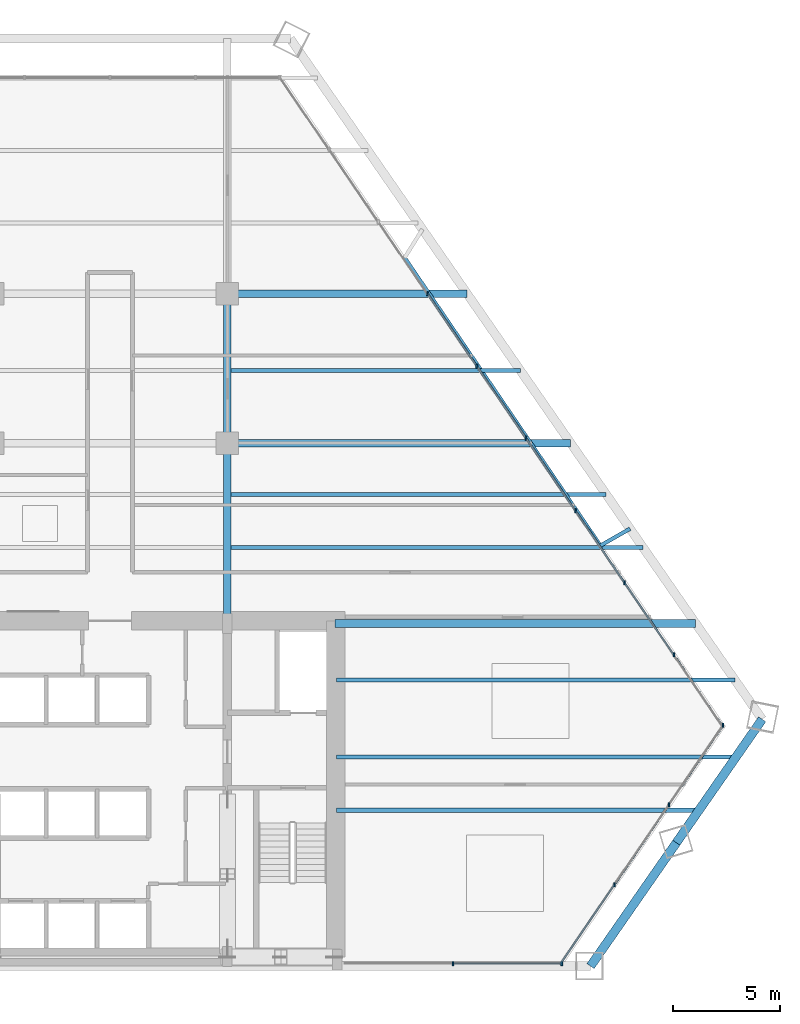
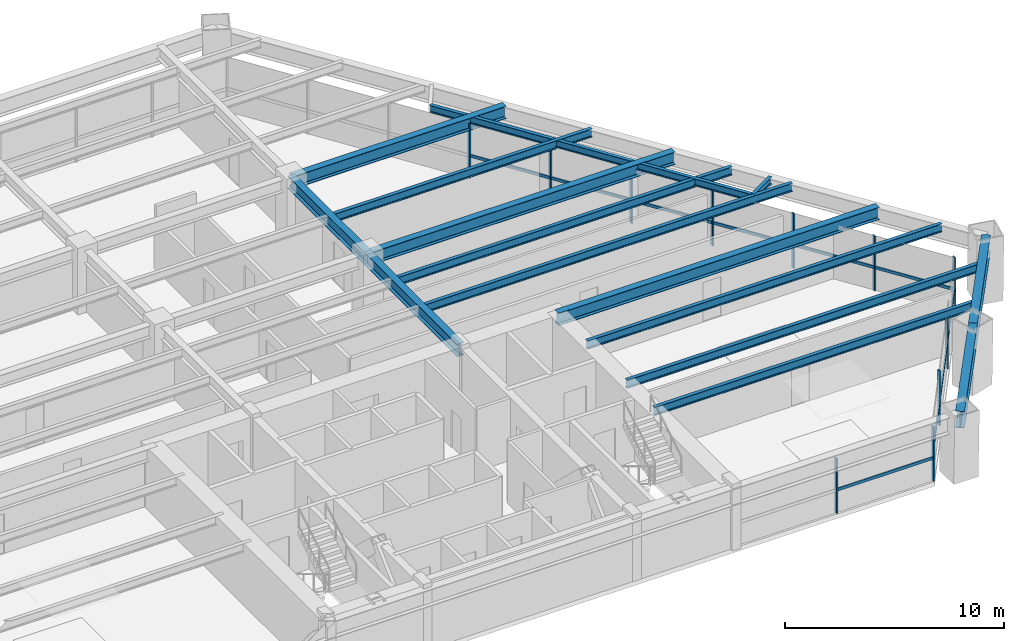
# One storey, part 6 of 13: 21 members, 15 beams, 3 elements without a shape of their own.
"""IFC4 building model written with IfcOpenShell, lengths in metres."""

from ifc_helpers import new_model, si_unit, direction, frame, origin, origin_2d, place, context, subcontext, project, spatial, rectangle, i_section, extrude, source, transform, mapped, material, material_profile, profile_set, type_object, type_shapes, element, aggregate, save


model = new_model("IFC4")

# Units and contexts
model_context = context("Model", 3, precision=1e-05, world=origin(), true_north=direction((0.0, 1.0)))
body_context = subcontext(model_context, "Body", "Model", "MODEL_VIEW")
ifc_project = project(units=[si_unit("LENGTHUNIT", "METRE"), si_unit("AREAUNIT", "SQUARE_METRE"), si_unit("VOLUMEUNIT", "CUBIC_METRE"), si_unit("PLANEANGLEUNIT", "RADIAN"), si_unit("MASSUNIT", "GRAM", prefix="KILO")], contexts=[model_context])

# Site, building, storey
site_placement = place(None, origin())
site = spatial("IfcSite", under=ifc_project, at=site_placement, CompositionType="ELEMENT")
building_placement = place(site_placement, origin())
building = spatial("IfcBuilding", under=site, at=building_placement, Name="Varnakhor Terracotta Tower", CompositionType="ELEMENT")
storey_placement = place(building_placement, frame((0.0, 0.0, 27.5)))
storey = spatial("IfcBuildingStorey", under=building, at=storey_placement, Name="L05", CompositionType="ELEMENT", Elevation=27.5)

# Beams
ifc_material_1 = material(Name="Steel S355", Category="steel")
ifc_material_profile_1 = material_profile(ifc_material_1, i_section(OverallWidth=0.41796875, OverallDepth=0.927001953125, WebThickness=0.01904296875, FlangeThickness=0.031982421875, FilletRadius=0.01806640625, at=origin_2d()), Name="W36X231")
ifc_profile_set_1 = profile_set([ifc_material_profile_1], Name="Steel S355")
beam_type_1 = type_object("IfcBeamType", Name="BM-W36X231", PredefinedType="BEAM", material=ifc_profile_set_1)
shared_shape_1 = source(origin(), body_context, "Body", "SweptSolid", [
    extrude(i_section(OverallWidth=0.41796875, OverallDepth=0.927001953125, WebThickness=0.01904296875, FlangeThickness=0.031982421875, FilletRadius=0.01806640625, at=origin_2d()), origin(), (0.0, 0.0, 1.0), 7.04052734375),
])
beam_1_placement = place(storey_placement, frame((22.509033203125, 0.0, 2.986572265625), z_axis=(0.570878545887, 0.821034521714, 0.0), x_axis=(-0.821034521714, 0.570878545887, 0.0)))
element("IfcBeam", 1, at=beam_1_placement, inside=storey, type_object=beam_type_1, Name="L05 Perimeter Spandrel 2", PredefinedType="BEAM", context=body_context, shape_type="MappedRepresentation", body=[
    mapped(shared_shape_1, transform((0.0, 0.0, 0.0), scale=1.0)),
])
shared_shape_2 = source(origin(), body_context, "Body", "SweptSolid", [
    extrude(i_section(OverallWidth=0.41796875, OverallDepth=0.927001953125, WebThickness=0.01904296875, FlangeThickness=0.031982421875, FilletRadius=0.01806640625, at=origin_2d()), origin(), (0.0, 0.0, 1.0), 7.040771484375),
])
beam_2_placement = place(storey_placement, frame((26.5283203125, 5.780517578125, 2.986572265625), z_axis=(0.570862293001, 0.821045822369, 0.0), x_axis=(-0.821045822369, 0.570862293001, 0.0)))
element("IfcBeam", 2, at=beam_2_placement, inside=storey, type_object=beam_type_1, Name="L05 Perimeter Spandrel 3", PredefinedType="BEAM", context=body_context, shape_type="MappedRepresentation", body=[
    mapped(shared_shape_2, transform((0.0, 0.0, 0.0), scale=1.0)),
])
ifc_material_profile_2 = material_profile(ifc_material_1, i_section(OverallWidth=0.179931640625, OverallDepth=0.39990234375, WebThickness=0.008544921875, FlangeThickness=0.013427734375, FilletRadius=0.01806640625, at=origin_2d()), Name="IPE400")
ifc_profile_set_2 = profile_set([ifc_material_profile_2], Name="Steel S355")
beam_type_2 = type_object("IfcBeamType", Name="JST-IPE400", PredefinedType="JOIST", material=ifc_profile_set_2)
shared_shape_3 = source(origin(), body_context, "Body", "SweptSolid", [
    extrude(i_section(OverallWidth=0.179931640625, OverallDepth=0.39990234375, WebThickness=0.008544921875, FlangeThickness=0.013427734375, FilletRadius=0.01806640625, at=origin_2d()), origin(), (0.0, 0.0, 1.0), 16.307373046875),
])
type_shapes(beam_type_2, [shared_shape_3])
beam_3_placement = place(storey_placement, frame((22.969970703125, 19.695068359375, 3.25), z_axis=(-0.562319030314, 0.826920375941, 0.0), x_axis=(-0.826920375941, -0.562319030314, 0.0)))
element("IfcBeam", 3, at=beam_3_placement, inside=storey, type_object=beam_type_2, Name="L05 Loggia Edge Beam 1", PredefinedType="JOIST", context=body_context, shape_type="MappedRepresentation", body=[
    mapped(shared_shape_3, transform((0.0, 0.0, 0.0), scale=1.0)),
])
ifc_material_profile_3 = material_profile(ifc_material_1, i_section(OverallWidth=0.35498046875, OverallDepth=0.695068359375, WebThickness=0.014892578125, FlangeThickness=0.02490234375, FilletRadius=0.01806640625, at=origin_2d()), Name="W27X146")
ifc_profile_set_3 = profile_set([ifc_material_profile_3], Name="Steel S355")
beam_type_3 = type_object("IfcBeamType", Name="BM-W27X146", PredefinedType="BEAM", material=ifc_profile_set_3)
shared_shape_4 = source(origin(), body_context, "Body", "SweptSolid", [
    extrude(i_section(OverallWidth=0.35498046875, OverallDepth=0.695068359375, WebThickness=0.014892578125, FlangeThickness=0.02490234375, FilletRadius=0.01806640625, at=origin_2d()), origin(), (0.0, 0.0, 1.0), 8.449951171875),
])
type_shapes(beam_type_3, [shared_shape_4])
beam_4_placement = place(storey_placement, frame((5.5, 16.050048828125, 3.1025390625), z_axis=(0.0, 1.0, 0.0), x_axis=(-1.0, 0.0, 0.0)))
element("IfcBeam", 4, at=beam_4_placement, inside=storey, type_object=beam_type_3, Name="L05 Primary Girder NS1-E", PredefinedType="BEAM", context=body_context, shape_type="MappedRepresentation", body=[
    mapped(shared_shape_4, transform((0.0, 0.0, 0.0), scale=1.0)),
])
shared_shape_5 = source(origin(), body_context, "Body", "SweptSolid", [
    extrude(i_section(OverallWidth=0.35498046875, OverallDepth=0.695068359375, WebThickness=0.014892578125, FlangeThickness=0.02490234375, FilletRadius=0.01806640625, at=origin_2d()), origin(), (0.0, 0.0, 1.0), 7.0),
])
beam_5_placement = place(storey_placement, frame((5.5, 24.5, 3.1025390625), z_axis=(0.0, 1.0, 0.0), x_axis=(-1.0, 0.0, 0.0)))
element("IfcBeam", 5, at=beam_5_placement, inside=storey, type_object=beam_type_3, Name="L05 Primary Girder NS2-E", PredefinedType="BEAM", context=body_context, shape_type="MappedRepresentation", body=[
    mapped(shared_shape_5, transform((0.0, 0.0, 0.0), scale=1.0)),
])
shared_shape_6 = source(origin(), body_context, "Body", "SweptSolid", [
    extrude(i_section(OverallWidth=0.35498046875, OverallDepth=0.695068359375, WebThickness=0.014892578125, FlangeThickness=0.02490234375, FilletRadius=0.01806640625, at=origin_2d()), origin(), (0.0, 0.0, 1.0), 16.885498046875),
])
beam_6_placement = place(storey_placement, frame((10.550048828125, 16.050048828125, 3.1025390625), z_axis=(1.0, 0.0, 0.0), x_axis=(0.0, 1.0, 0.0)))
element("IfcBeam", 6, at=beam_6_placement, inside=storey, type_object=beam_type_3, Name="L05 Wing Girder E", PredefinedType="BEAM", context=body_context, shape_type="MappedRepresentation", body=[
    mapped(shared_shape_6, transform((0.0, 0.0, 0.0), scale=1.0)),
])
shared_shape_7 = source(origin(), body_context, "Body", "SweptSolid", [
    extrude(i_section(OverallWidth=0.35498046875, OverallDepth=0.695068359375, WebThickness=0.014892578125, FlangeThickness=0.02490234375, FilletRadius=0.01806640625, at=origin_2d()), origin(), (0.0, 0.0, 1.0), 16.076904296875),
])
beam_7_placement = place(storey_placement, frame((5.5, 24.5, 3.1025390625), z_axis=(1.0, 0.0, 0.0), x_axis=(0.0, 1.0, 0.0)))
element("IfcBeam", 7, at=beam_7_placement, inside=storey, type_object=beam_type_3, Name="L05 Primary Girder EW2-3", PredefinedType="BEAM", context=body_context, shape_type="MappedRepresentation", body=[
    mapped(shared_shape_7, transform((0.0, 0.0, 0.0), scale=1.0)),
])
shared_shape_8 = source(origin(), body_context, "Body", "SweptSolid", [
    extrude(i_section(OverallWidth=0.35498046875, OverallDepth=0.695068359375, WebThickness=0.014892578125, FlangeThickness=0.02490234375, FilletRadius=0.01806640625, at=origin_2d()), origin(), (0.0, 0.0, 1.0), 11.223876953125),
])
beam_8_placement = place(storey_placement, frame((5.5, 31.5, 3.1025390625), z_axis=(1.0, 0.0, 0.0), x_axis=(0.0, 1.0, 0.0)))
element("IfcBeam", 8, at=beam_8_placement, inside=storey, type_object=beam_type_3, Name="L05 Primary Girder EW3-3", PredefinedType="BEAM", context=body_context, shape_type="MappedRepresentation", body=[
    mapped(shared_shape_8, transform((0.0, 0.0, 0.0), scale=1.0)),
])
ifc_material_profile_4 = material_profile(ifc_material_1, i_section(OverallWidth=0.19189453125, OverallDepth=0.462890625, WebThickness=0.010498046875, FlangeThickness=0.017578125, FilletRadius=0.01806640625, at=origin_2d()), Name="W18X60")
ifc_profile_set_4 = profile_set([ifc_material_profile_4], Name="Steel S355")
beam_type_4 = type_object("IfcBeamType", Name="JST-W18X60", PredefinedType="JOIST", material=ifc_profile_set_4)
shared_shape_9 = source(origin(), body_context, "Body", "SweptSolid", [
    extrude(i_section(OverallWidth=0.19189453125, OverallDepth=0.462890625, WebThickness=0.010498046875, FlangeThickness=0.017578125, FilletRadius=0.01806640625, at=origin_2d()), origin(), (0.0, 0.0, 1.0), 16.984619140625),
])
beam_9_placement = place(storey_placement, frame((10.60009765625, 7.300048828125, 3.218505859375), z_axis=(1.0, 0.0, 0.0), x_axis=(0.0, 1.0, 0.0)))
element("IfcBeam", 9, at=beam_9_placement, inside=storey, type_object=beam_type_4, Name="L05 Floor Joist E1", PredefinedType="JOIST", context=body_context, shape_type="MappedRepresentation", body=[
    mapped(shared_shape_9, transform((0.0, 0.0, 0.0), scale=1.0)),
])
shared_shape_10 = source(origin(), body_context, "Body", "SweptSolid", [
    extrude(i_section(OverallWidth=0.19189453125, OverallDepth=0.462890625, WebThickness=0.010498046875, FlangeThickness=0.017578125, FilletRadius=0.01806640625, at=origin_2d()), origin(), (0.0, 0.0, 1.0), 18.722900390625),
])
beam_10_placement = place(storey_placement, frame((10.60009765625, 9.800048828125, 3.218505859375), z_axis=(1.0, 0.0, 0.0), x_axis=(0.0, 1.0, 0.0)))
element("IfcBeam", 10, at=beam_10_placement, inside=storey, type_object=beam_type_4, Name="L05 Floor Joist E2", PredefinedType="JOIST", context=body_context, shape_type="MappedRepresentation", body=[
    mapped(shared_shape_10, transform((0.0, 0.0, 0.0), scale=1.0)),
])
shared_shape_11 = source(origin(), body_context, "Body", "SweptSolid", [
    extrude(i_section(OverallWidth=0.19189453125, OverallDepth=0.462890625, WebThickness=0.010498046875, FlangeThickness=0.017578125, FilletRadius=0.01806640625, at=origin_2d()), origin(), (0.0, 0.0, 1.0), 18.672607421875),
])
beam_11_placement = place(storey_placement, frame((10.60009765625, 13.39990234375, 3.218505859375), z_axis=(1.0, 0.0, 0.0), x_axis=(0.0, 1.0, 0.0)))
element("IfcBeam", 11, at=beam_11_placement, inside=storey, type_object=beam_type_4, Name="L05 Floor Joist E3", PredefinedType="JOIST", context=body_context, shape_type="MappedRepresentation", body=[
    mapped(shared_shape_11, transform((0.0, 0.0, 0.0), scale=1.0)),
])
shared_shape_12 = source(origin(), body_context, "Body", "SweptSolid", [
    extrude(i_section(OverallWidth=0.19189453125, OverallDepth=0.462890625, WebThickness=0.010498046875, FlangeThickness=0.017578125, FilletRadius=0.01806640625, at=origin_2d()), origin(), (0.0, 0.0, 1.0), 19.30078125),
])
beam_12_placement = place(storey_placement, frame((5.673583984375, 19.60009765625, 3.218505859375), z_axis=(1.0, 0.0, 0.0), x_axis=(0.0, 1.0, 0.0)))
element("IfcBeam", 12, at=beam_12_placement, inside=storey, type_object=beam_type_4, Name="L05 Composite Floor Joist 4-3", PredefinedType="JOIST", context=body_context, shape_type="MappedRepresentation", body=[
    mapped(shared_shape_12, transform((0.0, 0.0, 0.0), scale=1.0)),
])
shared_shape_13 = source(origin(), body_context, "Body", "SweptSolid", [
    extrude(i_section(OverallWidth=0.19189453125, OverallDepth=0.462890625, WebThickness=0.010498046875, FlangeThickness=0.017578125, FilletRadius=0.01806640625, at=origin_2d()), origin(), (0.0, 0.0, 1.0), 17.5673828125),
])
beam_13_placement = place(storey_placement, frame((5.673583984375, 22.10009765625, 3.218505859375), z_axis=(1.0, 0.0, 0.0), x_axis=(0.0, 1.0, 0.0)))
element("IfcBeam", 13, at=beam_13_placement, inside=storey, type_object=beam_type_4, Name="L05 Composite Floor Joist 5-3", PredefinedType="JOIST", context=body_context, shape_type="MappedRepresentation", body=[
    mapped(shared_shape_13, transform((0.0, 0.0, 0.0), scale=1.0)),
])
shared_shape_14 = source(origin(), body_context, "Body", "SweptSolid", [
    extrude(i_section(OverallWidth=0.19189453125, OverallDepth=0.462890625, WebThickness=0.010498046875, FlangeThickness=0.017578125, FilletRadius=0.01806640625, at=origin_2d()), origin(), (0.0, 0.0, 1.0), 13.546142578125),
])
beam_14_placement = place(storey_placement, frame((5.673583984375, 27.89990234375, 3.218505859375), z_axis=(1.0, 0.0, 0.0), x_axis=(0.0, 1.0, 0.0)))
element("IfcBeam", 14, at=beam_14_placement, inside=storey, type_object=beam_type_4, Name="L05 Composite Floor Joist 6-3", PredefinedType="JOIST", context=body_context, shape_type="MappedRepresentation", body=[
    mapped(shared_shape_14, transform((0.0, 0.0, 0.0), scale=1.0)),
])

# Curtain wall, members
ifc_material_2 = material(Name="Anodised Aluminium Curtain Wall System", Category="aluminium")
curtain_wall_type = type_object("IfcCurtainWallType", Name="CW-SYS-LOW-OFFICE", PredefinedType="NOTDEFINED", material=ifc_material_2)
curtain_wall_1_placement = place(storey_placement, origin())
curtain_wall_1 = element("IfcCurtainWall", 15, at=curtain_wall_1_placement, inside=storey, type_object=curtain_wall_type, Name="L05 Facet Curtain Wall 3", PredefinedType="NOTDEFINED")
ifc_material_3 = material(Name="Anodised Aluminium 6063-T6", Category="aluminium")
ifc_material_profile_5 = material_profile(ifc_material_3, rectangle(XDim=0.074951171875, YDim=0.18505859375, at=origin_2d()), Name="ALU MULLION 75x185")
ifc_profile_set_5 = profile_set([ifc_material_profile_5], Name="Anodised Aluminium 6063-T6")
member_type_1 = type_object("IfcMemberType", Name="CWM-02", PredefinedType="MULLION", material=ifc_profile_set_5)
shared_shape_15 = source(origin(), body_context, "Body", "SweptSolid", [
    extrude(rectangle(XDim=0.074951171875, YDim=0.18505859375, at=origin_2d()), origin(), (0.0, 0.0, 1.0), 3.030029296875),
])
type_shapes(member_type_1, [shared_shape_15])
member_1_placement = place(storey_placement, frame((14.87158203125, 31.489013671875, 0.0), z_axis=(0.0, 0.0, 1.0), x_axis=(1.0, 0.0, 0.0)))
member_1 = element("IfcMember", 16, at=member_1_placement, type_object=member_type_1, Name="L05 Facet Curtain Wall 3 Mullion 4", PredefinedType="MULLION", context=body_context, shape_type="MappedRepresentation", body=[
    mapped(shared_shape_15, transform((0.0, 0.0, 0.0), scale=1.0)),
])
member_2_placement = place(storey_placement, frame((17.179443359375, 28.106201171875, 0.0), z_axis=(0.0, 0.0, 1.0), x_axis=(1.0, 0.0, 0.0)))
member_2 = element("IfcMember", 17, at=member_2_placement, type_object=member_type_1, Name="L05 Facet Curtain Wall 3 Mullion 5", PredefinedType="MULLION", context=body_context, shape_type="MappedRepresentation", body=[
    mapped(shared_shape_15, transform((0.0, 0.0, 0.0), scale=1.0)),
])
member_3_placement = place(storey_placement, frame((19.4873046875, 24.723388671875, 0.0), z_axis=(0.0, 0.0, 1.0), x_axis=(1.0, 0.0, 0.0)))
member_3 = element("IfcMember", 18, at=member_3_placement, type_object=member_type_1, Name="L05 Facet Curtain Wall 3 Mullion 6", PredefinedType="MULLION", context=body_context, shape_type="MappedRepresentation", body=[
    mapped(shared_shape_15, transform((0.0, 0.0, 0.0), scale=1.0)),
])
member_4_placement = place(storey_placement, frame((21.795166015625, 21.340576171875, 0.0), z_axis=(0.0, 0.0, 1.0), x_axis=(1.0, 0.0, 0.0)))
member_4 = element("IfcMember", 19, at=member_4_placement, type_object=member_type_1, Name="L05 Facet Curtain Wall 3 Mullion 7", PredefinedType="MULLION", context=body_context, shape_type="MappedRepresentation", body=[
    mapped(shared_shape_15, transform((0.0, 0.0, 0.0), scale=1.0)),
])
member_5_placement = place(storey_placement, frame((24.10302734375, 17.957763671875, 0.0), z_axis=(0.0, 0.0, 1.0), x_axis=(1.0, 0.0, 0.0)))
member_5 = element("IfcMember", 20, at=member_5_placement, type_object=member_type_1, Name="L05 Facet Curtain Wall 3 Mullion 8", PredefinedType="MULLION", context=body_context, shape_type="MappedRepresentation", body=[
    mapped(shared_shape_15, transform((0.0, 0.0, 0.0), scale=1.0)),
])
member_6_placement = place(storey_placement, frame((26.4111328125, 14.574951171875, 0.0), z_axis=(0.0, 0.0, 1.0), x_axis=(1.0, 0.0, 0.0)))
member_6 = element("IfcMember", 21, at=member_6_placement, type_object=member_type_1, Name="L05 Facet Curtain Wall 3 Mullion 9", PredefinedType="MULLION", context=body_context, shape_type="MappedRepresentation", body=[
    mapped(shared_shape_15, transform((0.0, 0.0, 0.0), scale=1.0)),
])

curtain_wall_2_placement = place(storey_placement, origin())
curtain_wall_2 = element("IfcCurtainWall", 22, at=curtain_wall_2_placement, inside=storey, type_object=curtain_wall_type, Name="L05 Facet Curtain Wall 4", PredefinedType="NOTDEFINED")
member_7_placement = place(storey_placement, frame((28.718994140625, 11.27783203125, 0.0), z_axis=(0.0, 0.0, 1.0), x_axis=(1.0, 0.0, 0.0)))
member_7 = element("IfcMember", 23, at=member_7_placement, type_object=member_type_1, Name="L05 Facet Curtain Wall 4 Mullion 1", PredefinedType="MULLION", context=body_context, shape_type="MappedRepresentation", body=[
    mapped(shared_shape_15, transform((0.0, 0.0, 0.0), scale=1.0)),
])
member_8_placement = place(storey_placement, frame((26.17529296875, 7.54931640625, 0.0), z_axis=(0.0, 0.0, 1.0), x_axis=(1.0, 0.0, 0.0)))
member_8 = element("IfcMember", 24, at=member_8_placement, type_object=member_type_1, Name="L05 Facet Curtain Wall 4 Mullion 2", PredefinedType="MULLION", context=body_context, shape_type="MappedRepresentation", body=[
    mapped(shared_shape_15, transform((0.0, 0.0, 0.0), scale=1.0)),
])
member_9_placement = place(storey_placement, frame((23.631591796875, 3.82080078125, 0.0), z_axis=(0.0, 0.0, 1.0), x_axis=(1.0, 0.0, 0.0)))
member_9 = element("IfcMember", 25, at=member_9_placement, type_object=member_type_1, Name="L05 Facet Curtain Wall 4 Mullion 3", PredefinedType="MULLION", context=body_context, shape_type="MappedRepresentation", body=[
    mapped(shared_shape_15, transform((0.0, 0.0, 0.0), scale=1.0)),
])

curtain_wall_3_placement = place(storey_placement, origin())
curtain_wall_3 = element("IfcCurtainWall", 26, at=curtain_wall_3_placement, inside=storey, type_object=curtain_wall_type, Name="L05 South Wing Curtain Wall SSE", PredefinedType="NOTDEFINED")
member_10_placement = place(storey_placement, frame((21.159912109375, 0.1201171875, 0.0), z_axis=(0.0, 0.0, 1.0), x_axis=(1.0, 0.0, 0.0)))
member_10 = element("IfcMember", 27, at=member_10_placement, type_object=member_type_1, Name="L05 South Wing Curtain Wall SSE Mullion 1", PredefinedType="MULLION", context=body_context, shape_type="MappedRepresentation", body=[
    mapped(shared_shape_15, transform((0.0, 0.0, 0.0), scale=1.0)),
])
member_11_placement = place(storey_placement, frame((16.06494140625, 0.1201171875, 0.0), z_axis=(0.0, 0.0, 1.0), x_axis=(1.0, 0.0, 0.0)))
member_11 = element("IfcMember", 28, at=member_11_placement, type_object=member_type_1, Name="L05 South Wing Curtain Wall SSE Mullion 2", PredefinedType="MULLION", context=body_context, shape_type="MappedRepresentation", body=[
    mapped(shared_shape_15, transform((0.0, 0.0, 0.0), scale=1.0)),
])

# Member
ifc_material_profile_6 = material_profile(ifc_material_3, rectangle(XDim=0.074951171875, YDim=0.1650390625, at=origin_2d()), Name="ALU TRANSOM 75x165")
ifc_profile_set_6 = profile_set([ifc_material_profile_6], Name="Anodised Aluminium 6063-T6")
member_type_2 = type_object("IfcMemberType", Name="CWT-02", PredefinedType="USERDEFINED", material=ifc_profile_set_6)
shared_shape_16 = source(origin(), body_context, "Body", "SweptSolid", [
    extrude(rectangle(XDim=0.074951171875, YDim=0.1650390625, at=origin_2d()), origin(), (0.0, 0.0, 1.0), 4.094970703125),
])
type_shapes(member_type_2, [shared_shape_16])
member_12_placement = place(storey_placement, frame((14.87158203125, 31.489013671875, 1.272705078125), z_axis=(0.563569893016, -0.826068384389, 0.0), x_axis=(0.826068384389, 0.563569893016, 0.0)))
member_12 = element("IfcMember", 29, at=member_12_placement, type_object=member_type_2, Name="L05 Facet Curtain Wall 3 Transom 4", ObjectType="TRANSOM", PredefinedType="USERDEFINED", context=body_context, shape_type="MappedRepresentation", body=[
    mapped(shared_shape_16, transform((0.0, 0.0, 0.0), scale=1.0)),
])

member_13_placement = place(storey_placement, frame((17.179443359375, 28.106201171875, 1.272705078125), z_axis=(0.563569893016, -0.826068384389, 0.0), x_axis=(0.826068384389, 0.563569893016, 0.0)))
member_13 = element("IfcMember", 30, at=member_13_placement, type_object=member_type_2, Name="L05 Facet Curtain Wall 3 Transom 5", ObjectType="TRANSOM", PredefinedType="USERDEFINED", context=body_context, shape_type="MappedRepresentation", body=[
    mapped(shared_shape_16, transform((0.0, 0.0, 0.0), scale=1.0)),
])

member_14_placement = place(storey_placement, frame((19.4873046875, 24.723388671875, 1.272705078125), z_axis=(0.563569893016, -0.826068384389, 0.0), x_axis=(0.826068384389, 0.563569893016, 0.0)))
member_14 = element("IfcMember", 31, at=member_14_placement, type_object=member_type_2, Name="L05 Facet Curtain Wall 3 Transom 6", ObjectType="TRANSOM", PredefinedType="USERDEFINED", context=body_context, shape_type="MappedRepresentation", body=[
    mapped(shared_shape_16, transform((0.0, 0.0, 0.0), scale=1.0)),
])

member_15_placement = place(storey_placement, frame((21.795166015625, 21.340576171875, 1.272705078125), z_axis=(0.563569893016, -0.826068384389, 0.0), x_axis=(0.826068384389, 0.563569893016, 0.0)))
member_15 = element("IfcMember", 32, at=member_15_placement, type_object=member_type_2, Name="L05 Facet Curtain Wall 3 Transom 7", ObjectType="TRANSOM", PredefinedType="USERDEFINED", context=body_context, shape_type="MappedRepresentation", body=[
    mapped(shared_shape_16, transform((0.0, 0.0, 0.0), scale=1.0)),
])

member_16_placement = place(storey_placement, frame((26.4111328125, 14.574951171875, 1.272705078125), z_axis=(0.563569893016, -0.826068384389, 0.0), x_axis=(0.826068384389, 0.563569893016, 0.0)))
member_16 = element("IfcMember", 33, at=member_16_placement, type_object=member_type_2, Name="L05 Facet Curtain Wall 3 Transom 9", ObjectType="TRANSOM", PredefinedType="USERDEFINED", context=body_context, shape_type="MappedRepresentation", body=[
    mapped(shared_shape_16, transform((0.0, 0.0, 0.0), scale=1.0)),
])

shared_shape_17 = source(origin(), body_context, "Body", "SweptSolid", [
    extrude(rectangle(XDim=0.074951171875, YDim=0.1650390625, at=origin_2d()), origin(), (0.0, 0.0, 1.0), 4.09521484375),
])
member_17_placement = place(storey_placement, frame((24.10302734375, 17.957763671875, 1.272705078125), z_axis=(0.563610573699, -0.826040629276, 0.0), x_axis=(0.826040629276, 0.563610573699, 0.0)))
member_17 = element("IfcMember", 34, at=member_17_placement, type_object=member_type_2, Name="L05 Facet Curtain Wall 3 Transom 8", ObjectType="TRANSOM", PredefinedType="USERDEFINED", context=body_context, shape_type="MappedRepresentation", body=[
    mapped(shared_shape_17, transform((0.0, 0.0, 0.0), scale=1.0)),
])

aggregate(curtain_wall_1, [member_1, member_12, member_2, member_13, member_3, member_14, member_4, member_15, member_5, member_17, member_6, member_16])

shared_shape_18 = source(origin(), body_context, "Body", "SweptSolid", [
    extrude(rectangle(XDim=0.074951171875, YDim=0.1650390625, at=origin_2d()), origin(), (0.0, 0.0, 1.0), 4.513671875),
])
member_18_placement = place(storey_placement, frame((28.718994140625, 11.27783203125, 1.272705078125), z_axis=(-0.563568422553, -0.826069387583, 0.0), x_axis=(0.826069387583, -0.563568422553, 0.0)))
member_18 = element("IfcMember", 35, at=member_18_placement, type_object=member_type_2, Name="L05 Facet Curtain Wall 4 Transom 1", ObjectType="TRANSOM", PredefinedType="USERDEFINED", context=body_context, shape_type="MappedRepresentation", body=[
    mapped(shared_shape_18, transform((0.0, 0.0, 0.0), scale=1.0)),
])

member_19_placement = place(storey_placement, frame((26.17529296875, 7.54931640625, 1.272705078125), z_axis=(-0.563568422553, -0.826069387583, 0.0), x_axis=(0.826069387583, -0.563568422553, 0.0)))
member_19 = element("IfcMember", 36, at=member_19_placement, type_object=member_type_2, Name="L05 Facet Curtain Wall 4 Transom 2", ObjectType="TRANSOM", PredefinedType="USERDEFINED", context=body_context, shape_type="MappedRepresentation", body=[
    mapped(shared_shape_18, transform((0.0, 0.0, 0.0), scale=1.0)),
])

member_20_placement = place(storey_placement, frame((23.631591796875, 3.82080078125, 1.272705078125), z_axis=(-0.563568422553, -0.826069387583, 0.0), x_axis=(0.826069387583, -0.563568422553, 0.0)))
member_20 = element("IfcMember", 37, at=member_20_placement, type_object=member_type_2, Name="L05 Facet Curtain Wall 4 Transom 3", ObjectType="TRANSOM", PredefinedType="USERDEFINED", context=body_context, shape_type="MappedRepresentation", body=[
    mapped(shared_shape_18, transform((0.0, 0.0, 0.0), scale=1.0)),
])

aggregate(curtain_wall_2, [member_7, member_18, member_8, member_19, member_9, member_20])

shared_shape_19 = source(origin(), body_context, "Body", "SweptSolid", [
    extrude(rectangle(XDim=0.074951171875, YDim=0.1650390625, at=origin_2d()), origin(), (0.0, 0.0, 1.0), 5.094970703125),
])
member_21_placement = place(storey_placement, frame((21.159912109375, 0.1201171875, 1.272705078125), z_axis=(-1.0, 0.0, 0.0), x_axis=(0.0, -1.0, 0.0)))
member_21 = element("IfcMember", 38, at=member_21_placement, type_object=member_type_2, Name="L05 South Wing Curtain Wall SSE Transom 1", ObjectType="TRANSOM", PredefinedType="USERDEFINED", context=body_context, shape_type="MappedRepresentation", body=[
    mapped(shared_shape_19, transform((0.0, 0.0, 0.0), scale=1.0)),
])

aggregate(curtain_wall_3, [member_10, member_21, member_11])

# Beam
shared_shape_20 = source(origin(), body_context, "Body", "SweptSolid", [
    extrude(i_section(OverallWidth=0.179931640625, OverallDepth=0.39990234375, WebThickness=0.008544921875, FlangeThickness=0.013427734375, FilletRadius=0.01806640625, at=origin_2d()), origin(), (0.0, 0.0, 1.0), 1.598876953125),
])
beam_15_placement = place(storey_placement, frame((22.969970703125, 19.695068359375, 3.25), z_axis=(0.868355876413, 0.495941601299, 0.0), x_axis=(-0.495941601299, 0.868355876413, 0.0)))
element("IfcBeam", 39, at=beam_15_placement, inside=storey, type_object=beam_type_2, Name="L06 E Loggia Tie Beam 2", PredefinedType="JOIST", context=body_context, shape_type="MappedRepresentation", body=[
    mapped(shared_shape_20, transform((0.0, 0.0, 0.0), scale=1.0)),
])

save(model, "model.ifc")
